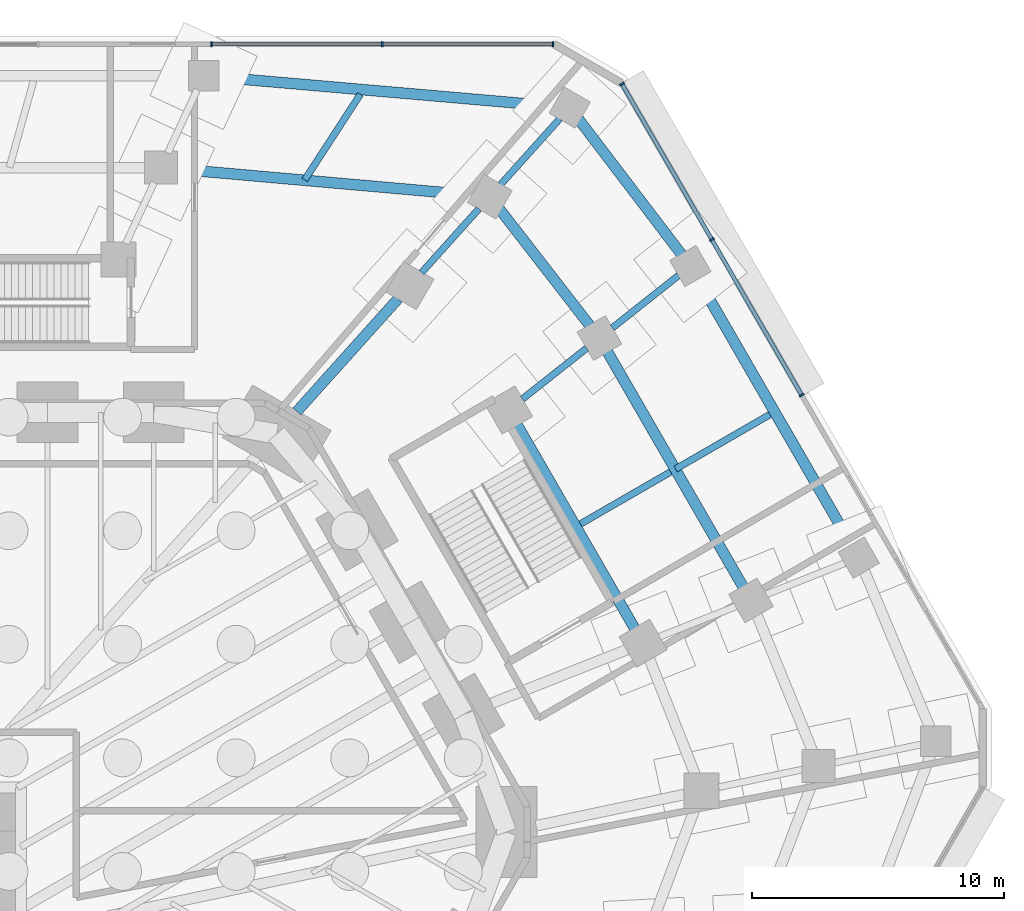
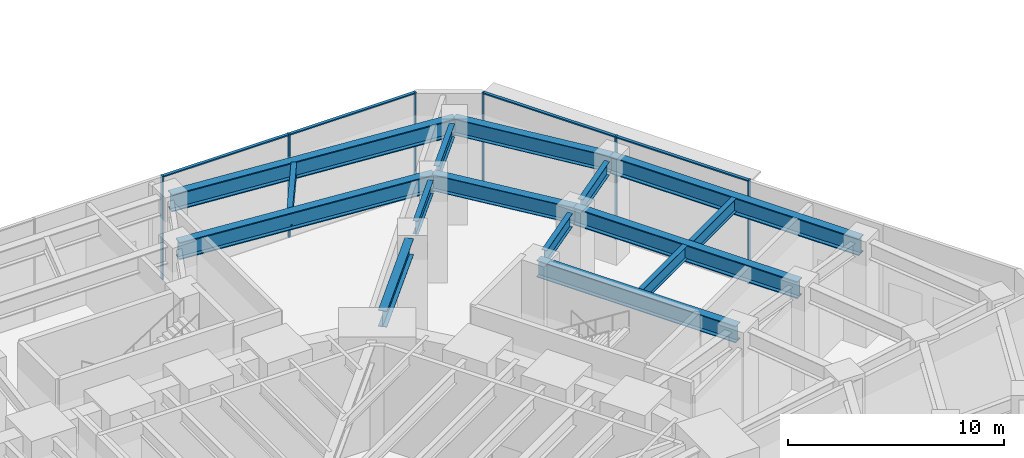
# One storey, part 16 of 34: 15 beams, 10 members, 2 elements without a shape of their own.
"""IFC4 building model written with IfcOpenShell, lengths in metres."""

import ifcopenshell
import ifcopenshell.guid

model = None  # the IFC model being written
_history = None  # IfcOwnerHistory: only IFC2X3 demands one
_inside = {}  # id of a spatial element -> (the spatial element, [elements in it])
_under = {}  # id of a project, library or spatial element -> (it, [spatial elements below it])
_declared = {}  # id of a project -> (the project, [libraries it declares])
_typed = {}  # id of a type object -> (the type object, [elements of that type])
_made_of = {}  # id of a material, layer set ... -> (it, [elements and type objects made of it])


def new_model(schema):
    """Start an empty IFC model of exactly this schema.

    Asked for "IFC4X3", IfcOpenShell would pick the latest addendum, in which some entities
    have other attributes; the version numbers below select the first issue.
    IFC2X3 requires an IfcOwnerHistory on every rooted entity: one is made here for all.
    """
    global model, _history
    if schema == "IFC4X3":
        model = ifcopenshell.file(schema_version=(4, 3, 0, 0))
    else:
        model = ifcopenshell.file(schema=schema)
    _inside.clear()
    _under.clear()
    _declared.clear()
    _typed.clear()
    _made_of.clear()
    _history = None
    if model.schema == "IFC2X3":
        org = make("IfcOrganization", Name="unknown")
        user = make(
            "IfcPersonAndOrganization",
            ThePerson=make("IfcPerson", FamilyName="unknown"),
            TheOrganization=org,
        )
        app = make(
            "IfcApplication",
            ApplicationDeveloper=org,
            Version="unknown",
            ApplicationFullName="unknown",
            ApplicationIdentifier="unknown",
        )
        _history = make(
            "IfcOwnerHistory",
            OwningUser=user,
            OwningApplication=app,
            ChangeAction="ADDED",
            CreationDate=0,
        )
    return model


def make(cls, **values):
    """One entity of the class cls with the attributes given. An attribute that is None is left unset."""
    return model.create_entity(
        cls, **{name: value for name, value in values.items() if value is not None}
    )


def rooted(cls, **values):
    """An entity with a GlobalId (a new one), such as an element, a storey or a relation."""
    return make(cls, GlobalId=ifcopenshell.guid.new(), OwnerHistory=_history, **values)


def si_unit(unit_type, name, prefix=None):
    """IfcSIUnit, for example si_unit("LENGTHUNIT", "METRE", prefix="MILLI")."""
    return make("IfcSIUnit", UnitType=unit_type, Prefix=prefix, Name=name)


def assignment(units):
    """IfcUnitAssignment: the units of a project."""
    return None if units is None else make("IfcUnitAssignment", Units=units)


def point(xyz):
    """IfcCartesianPoint."""
    return None if xyz is None else make("IfcCartesianPoint", Coordinates=xyz)


def direction(xyz):
    """IfcDirection."""
    return None if xyz is None else make("IfcDirection", DirectionRatios=xyz)


def frame(location, z_axis=None, x_axis=None):
    """IfcAxis2Placement3D, a coordinate frame: its origin and axes. An axis left out is left unset."""
    return make(
        "IfcAxis2Placement3D",
        Location=point(location),
        Axis=direction(z_axis),
        RefDirection=direction(x_axis),
    )


def frame_2d(location, x_axis=None):
    """IfcAxis2Placement2D, a coordinate frame in the plane: its origin and x axis."""
    return make(
        "IfcAxis2Placement2D", Location=point(location), RefDirection=direction(x_axis)
    )


def origin():
    """The frame at (0, 0, 0) with its axes left unset."""
    return frame((0.0, 0.0, 0.0))


def origin_2d():
    """The frame at (0, 0) in the plane with its x axis left unset."""
    return frame_2d((0.0, 0.0))


def place(relative_to, where):
    """IfcLocalPlacement: puts the frame where relative to a parent placement (None: the world)."""
    return make(
        "IfcLocalPlacement", PlacementRelTo=relative_to, RelativePlacement=where
    )


def context(
    kind, dimensions, precision=None, world=None, true_north=None, identifier=None
):
    """IfcGeometricRepresentationContext, for example the 3D "Model" context."""
    return make(
        "IfcGeometricRepresentationContext",
        ContextIdentifier=identifier,
        ContextType=kind,
        CoordinateSpaceDimension=dimensions,
        Precision=precision,
        WorldCoordinateSystem=world,
        TrueNorth=true_north,
    )


def subcontext(parent, identifier, kind, view, scale=None):
    """IfcGeometricRepresentationSubContext, for example "Body" below "Model"."""
    return make(
        "IfcGeometricRepresentationSubContext",
        ContextIdentifier=identifier,
        ContextType=kind,
        ParentContext=parent,
        TargetScale=scale,
        TargetView=view,
    )


def project(units=None, contexts=None):
    """IfcProject with its units and contexts."""
    return rooted(
        "IfcProject",
        Name="project",
        RepresentationContexts=contexts,
        UnitsInContext=assignment(units),
    )


def spatial(cls, under=None, at=None, **own):
    """A site, building, storey or space (cls), placed at a placement, below another one or the project."""
    s = rooted(cls, ObjectPlacement=at, **own)
    if under is not None:
        _under.setdefault(under.id(), (under, []))[1].append(s)
    return s


def profile(cls, at=None, kind="AREA", **sizes):
    """A parametric profile (cls). Its sizes go by their IFC names, for example OverallWidth=200.0."""
    return make(cls, ProfileType=kind, Position=at, **sizes)


def rectangle(**sizes):
    """IfcRectangleProfileDef."""
    return profile("IfcRectangleProfileDef", **sizes)


def i_section(**sizes):
    """IfcIShapeProfileDef."""
    return profile("IfcIShapeProfileDef", **sizes)


def extrude(swept, where, along, depth):
    """IfcExtrudedAreaSolid: the profile swept, set in the frame where, extruded along a direction by depth."""
    return make(
        "IfcExtrudedAreaSolid",
        SweptArea=swept,
        Position=where,
        ExtrudedDirection=direction(along),
        Depth=depth,
    )


def shape(context_of_items, identifier, shape_type, items):
    """IfcShapeRepresentation: the items that make up one representation, for example the "Body"."""
    return make(
        "IfcShapeRepresentation",
        ContextOfItems=context_of_items,
        RepresentationIdentifier=identifier,
        RepresentationType=shape_type,
        Items=items,
    )


def material(Name=None, Category=None):
    """IfcMaterial."""
    return make("IfcMaterial", Name=Name, Category=Category)


def material_profile(
    of_material, cross_section, Name=None, Category=None, Priority=None
):
    """IfcMaterialProfile: a cross section and its material."""
    return make(
        "IfcMaterialProfile",
        Name=Name,
        Material=of_material,
        Profile=cross_section,
        Priority=Priority,
        Category=Category,
    )


def profile_set(profiles, Name=None, composite=None):
    """IfcMaterialProfileSet."""
    return make(
        "IfcMaterialProfileSet",
        Name=Name,
        MaterialProfiles=profiles,
        CompositeProfile=composite,
    )


def made_of(thing, what):
    """Note that an element or type object is made of a material, layer set ...; save() writes the relation."""
    if what is not None:
        _made_of.setdefault(what.id(), (what, []))[1].append(thing)
    return thing


def type_object(cls, material=None, **own):
    """A type object (cls), such as IfcWallType, which elements share."""
    return made_of(rooted(cls, **own), material)


def element(
    cls,
    number,
    at=None,
    inside=None,
    cuts=None,
    type_object=None,
    material=None,
    context=None,
    identifier="Body",
    shape_type=None,
    held_by="IfcProductDefinitionShape",
    body=None,
    shapes=None,
    **own,
):
    """One element of the class cls, such as IfcWall. Its Tag is "e" and its number.

    at: its placement. inside: the storey or other place that contains it. cuts: it is an
    opening in that element (IfcRelVoidsElement). A single representation is given by context,
    identifier, shape_type and body (its items); several are given by shapes. held_by: the class
    of the entity that holds the representations. save() writes the other relations.
    """
    e = rooted(cls, Tag="e%d" % number, ObjectPlacement=at, **own)
    if body is not None:
        shapes = [shape(context, identifier, shape_type, body)]
    if shapes is not None:
        e.Representation = make(held_by, Representations=shapes)
    if inside is not None:
        _inside.setdefault(inside.id(), (inside, []))[1].append(e)
    if cuts is not None:
        rooted(
            "IfcRelVoidsElement", RelatingBuildingElement=cuts, RelatedOpeningElement=e
        )
    if type_object is not None:
        _typed.setdefault(type_object.id(), (type_object, []))[1].append(e)
    return made_of(e, material)


def aggregate(whole, parts):
    """IfcRelAggregates: a whole, such as a stair, and the parts it consists of."""
    return rooted("IfcRelAggregates", RelatingObject=whole, RelatedObjects=parts)


def save(model, path):
    """Write the relations noted so far, then the file.

    IfcRelAggregates (storeys below a building ...), IfcRelContainedInSpatialStructure (elements
    in a storey), IfcRelDefinesByType, IfcRelAssociatesMaterial and IfcRelDeclares: one each for
    every whole, place, type object, material and project.
    """
    for whole, parts in _under.values():
        aggregate(whole, parts)
    for where, things in _inside.values():
        rooted(
            "IfcRelContainedInSpatialStructure",
            RelatedElements=things,
            RelatingStructure=where,
        )
    for kind, things in _typed.values():
        rooted("IfcRelDefinesByType", RelatedObjects=things, RelatingType=kind)
    for what, things in _made_of.values():
        rooted("IfcRelAssociatesMaterial", RelatedObjects=things, RelatingMaterial=what)
    for by, libraries in _declared.values():
        rooted("IfcRelDeclares", RelatingContext=by, RelatedDefinitions=libraries)
    model.write(path)


model = new_model("IFC4")

# Units and contexts
model_context = context("Model", 3, precision=1e-05, world=origin(), true_north=direction((0.0, 1.0)))
body_context = subcontext(model_context, "Body", "Model", "MODEL_VIEW")
ifc_project = project(units=[si_unit("LENGTHUNIT", "METRE"), si_unit("AREAUNIT", "SQUARE_METRE"), si_unit("VOLUMEUNIT", "CUBIC_METRE"), si_unit("PLANEANGLEUNIT", "RADIAN"), si_unit("MASSUNIT", "GRAM", prefix="KILO")], contexts=[model_context])

# Site, building, storey
site_placement = place(None, origin())
site = spatial("IfcSite", under=ifc_project, at=site_placement, CompositionType="ELEMENT")
building_placement = place(site_placement, origin())
building = spatial("IfcBuilding", under=site, at=building_placement, Name="Sandreach Pilgrim Tower", CompositionType="ELEMENT")
storey_placement = place(building_placement, origin())
storey = spatial("IfcBuildingStorey", under=building, at=storey_placement, Name="L00", CompositionType="ELEMENT", Elevation=0.0)

# Curtain wall, members
ifc_material_1 = material(Name="Aluminium framed curtain wall", Category="aluminium")
curtain_wall_type = type_object("IfcCurtainWallType", Name="Podium storefront curtain wall", PredefinedType="NOTDEFINED", material=ifc_material_1)
curtain_wall_1_placement = place(storey_placement, origin())
curtain_wall_1 = element("IfcCurtainWall", 1, at=curtain_wall_1_placement, inside=storey, type_object=curtain_wall_type, Name="CW-P L00 NC", PredefinedType="NOTDEFINED")
ifc_material_2 = material(Name="Aluminium extrusion", Category="aluminium")
ifc_material_profile_1 = material_profile(ifc_material_2, rectangle(XDim=0.070068359375, YDim=0.199951171875, at=origin_2d()), Name="CW-PM 70X200")
ifc_profile_set_1 = profile_set([ifc_material_profile_1], Name="Aluminium extrusion")
member_type_1 = type_object("IfcMemberType", Name="CW-P mullion", PredefinedType="MULLION", material=ifc_profile_set_1)
member_1_placement = place(storey_placement, frame((17.02783203125, 37.285400390625, 0.0), z_axis=(0.0, 0.0, 1.0), x_axis=(1.0, 0.0, 0.0)))
member_1 = element("IfcMember", 2, at=member_1_placement, type_object=member_type_1, Name="CW-P mullion 1", PredefinedType="MULLION", context=body_context, shape_type="SweptSolid", body=[
    extrude(rectangle(XDim=0.070068359375, YDim=0.199951171875, at=origin_2d()), origin(), (0.0, 0.0, 1.0), 5.840087890625),
])
member_2_placement = place(storey_placement, frame((23.789794921875, 37.285400390625, 0.0), z_axis=(0.0, 0.0, 1.0), x_axis=(1.0, 0.0, 0.0)))
member_2 = element("IfcMember", 3, at=member_2_placement, type_object=member_type_1, Name="CW-P mullion 2", PredefinedType="MULLION", context=body_context, shape_type="SweptSolid", body=[
    extrude(rectangle(XDim=0.070068359375, YDim=0.199951171875, at=origin_2d()), origin(), (0.0, 0.0, 1.0), 5.840087890625),
])
member_3_placement = place(storey_placement, frame((30.552001953125, 37.285400390625, 0.0), z_axis=(0.0, 0.0, 1.0), x_axis=(1.0, 0.0, 0.0)))
member_3 = element("IfcMember", 4, at=member_3_placement, type_object=member_type_1, Name="CW-P mullion 3", PredefinedType="MULLION", context=body_context, shape_type="SweptSolid", body=[
    extrude(rectangle(XDim=0.070068359375, YDim=0.199951171875, at=origin_2d()), origin(), (0.0, 0.0, 1.0), 5.840087890625),
])

curtain_wall_2_placement = place(storey_placement, origin())
curtain_wall_2 = element("IfcCurtainWall", 5, at=curtain_wall_2_placement, inside=storey, type_object=curtain_wall_type, Name="CW-P L00 NEA", PredefinedType="NOTDEFINED")
member_4_placement = place(storey_placement, frame((33.289306640625, 35.705078125, 0.0), z_axis=(0.0, 0.0, 1.0), x_axis=(0.5, -0.866025403784, 0.0)))
member_4 = element("IfcMember", 6, at=member_4_placement, type_object=member_type_1, Name="CW-P mullion 1", PredefinedType="MULLION", context=body_context, shape_type="SweptSolid", body=[
    extrude(rectangle(XDim=0.070068359375, YDim=0.199951171875, at=origin_2d()), origin(), (0.0, 0.0, 1.0), 5.840087890625),
])
member_5_placement = place(storey_placement, frame((36.849609375, 29.538330078125, 0.0), z_axis=(0.0, 0.0, 1.0), x_axis=(0.5, -0.866025403784, 0.0)))
member_5 = element("IfcMember", 7, at=member_5_placement, type_object=member_type_1, Name="CW-P mullion 2", PredefinedType="MULLION", context=body_context, shape_type="SweptSolid", body=[
    extrude(rectangle(XDim=0.070068359375, YDim=0.199951171875, at=origin_2d()), origin(), (0.0, 0.0, 1.0), 5.840087890625),
])
member_6_placement = place(storey_placement, frame((40.41015625, 23.371337890625, 0.0), z_axis=(0.0, 0.0, 1.0), x_axis=(0.5, -0.866025403784, 0.0)))
member_6 = element("IfcMember", 8, at=member_6_placement, type_object=member_type_1, Name="CW-P mullion 3", PredefinedType="MULLION", context=body_context, shape_type="SweptSolid", body=[
    extrude(rectangle(XDim=0.070068359375, YDim=0.199951171875, at=origin_2d()), origin(), (0.0, 0.0, 1.0), 5.840087890625),
])

# Member
ifc_material_3 = material(Name="Aluminium extrusion", Category="aluminium")
ifc_material_profile_2 = material_profile(ifc_material_3, rectangle(XDim=0.159912109375, YDim=0.070068359375, at=origin_2d()), Name="CW-PT 160X70")
ifc_profile_set_2 = profile_set([ifc_material_profile_2], Name="Aluminium extrusion")
member_type_2 = type_object("IfcMemberType", Name="CW-P transom", PredefinedType="USERDEFINED", material=ifc_profile_set_2)
member_7_placement = place(storey_placement, frame((17.062744140625, 37.285400390625, 5.804931640625), z_axis=(1.0, 0.0, 0.0), x_axis=(0.0, 1.0, 0.0)))
member_7 = element("IfcMember", 9, at=member_7_placement, type_object=member_type_2, Name="CW-P head transom 1", ObjectType="TRANSOM", PredefinedType="USERDEFINED", context=body_context, shape_type="SweptSolid", body=[
    extrude(rectangle(XDim=0.159912109375, YDim=0.070068359375, at=origin_2d()), origin(), (0.0, 0.0, 1.0), 6.692138671875),
])

member_8_placement = place(storey_placement, frame((23.824951171875, 37.285400390625, 5.804931640625), z_axis=(1.0, 0.0, 0.0), x_axis=(0.0, 1.0, 0.0)))
member_8 = element("IfcMember", 10, at=member_8_placement, type_object=member_type_2, Name="CW-P head transom 2", ObjectType="TRANSOM", PredefinedType="USERDEFINED", context=body_context, shape_type="SweptSolid", body=[
    extrude(rectangle(XDim=0.159912109375, YDim=0.070068359375, at=origin_2d()), origin(), (0.0, 0.0, 1.0), 6.692138671875),
])

aggregate(curtain_wall_1, [member_1, member_2, member_3, member_7, member_8])

member_9_placement = place(storey_placement, frame((33.306640625, 35.6748046875, 5.804931640625), z_axis=(0.500023174947, -0.866012023309, 0.0), x_axis=(0.866012023309, 0.500023174947, 0.0)))
member_9 = element("IfcMember", 11, at=member_9_placement, type_object=member_type_2, Name="CW-P head transom 1", ObjectType="TRANSOM", PredefinedType="USERDEFINED", context=body_context, shape_type="SweptSolid", body=[
    extrude(rectangle(XDim=0.159912109375, YDim=0.070068359375, at=origin_2d()), origin(), (0.0, 0.0, 1.0), 7.051025390625),
])

member_10_placement = place(storey_placement, frame((36.8671875, 29.5078125, 5.804931640625), z_axis=(0.499997206141, -0.866027016814, 0.0), x_axis=(0.866027016814, 0.499997206141, 0.0)))
member_10 = element("IfcMember", 12, at=member_10_placement, type_object=member_type_2, Name="CW-P head transom 2", ObjectType="TRANSOM", PredefinedType="USERDEFINED", context=body_context, shape_type="SweptSolid", body=[
    extrude(rectangle(XDim=0.159912109375, YDim=0.070068359375, at=origin_2d()), origin(), (0.0, 0.0, 1.0), 7.05078125),
])

aggregate(curtain_wall_2, [member_4, member_5, member_6, member_9, member_10])

# Beams
ifc_material_4 = material(Name="Steel ASTM A992 Grade 50", Category="steel")
ifc_material_profile_3 = material_profile(ifc_material_4, i_section(OverallWidth=0.2666015625, OverallDepth=0.7568359375, WebThickness=0.013916015625, FlangeThickness=0.019287109375, at=origin_2d()), Name="W30X108")
ifc_profile_set_3 = profile_set([ifc_material_profile_3], Name="Steel ASTM A992 Grade 50")
beam_type_1 = type_object("IfcBeamType", Name="Podium beam W30X108", PredefinedType="BEAM", material=ifc_profile_set_3)
beam_1_placement = place(storey_placement, frame((25.352783203125, 28.234375, 5.46142578125), z_axis=(0.668105036211, 0.744066973188, 0.0), x_axis=(-0.744066973188, 0.668105036211, 0.0)))
element("IfcBeam", 13, at=beam_1_placement, inside=storey, type_object=beam_type_1, Name="BM L00 PR140-09", PredefinedType="BEAM", context=body_context, shape_type="SweptSolid", body=[
    extrude(i_section(OverallWidth=0.2666015625, OverallDepth=0.7568359375, WebThickness=0.013916015625, FlangeThickness=0.019287109375, at=origin_2d()), origin(), (0.0, 0.0, 1.0), 3.390869140625),
])
beam_2_placement = place(storey_placement, frame((29.3427734375, 23.218994140625, 5.46142578125), z_axis=(0.784196808653, 0.620512179815, 0.0), x_axis=(-0.620512179815, 0.784196808653, 0.0)))
element("IfcBeam", 14, at=beam_2_placement, inside=storey, type_object=beam_type_1, Name="BM L00 PR140-10", PredefinedType="BEAM", context=body_context, shape_type="SweptSolid", body=[
    extrude(i_section(OverallWidth=0.2666015625, OverallDepth=0.7568359375, WebThickness=0.013916015625, FlangeThickness=0.019287109375, at=origin_2d()), origin(), (0.0, 0.0, 1.0), 3.24560546875),
])
beam_3_placement = place(storey_placement, frame((31.645263671875, 18.270263671875, 5.46142578125), z_axis=(0.865992213802, 0.50005748233, 0.0), x_axis=(-0.50005748233, 0.865992213802, 0.0)))
element("IfcBeam", 15, at=beam_3_placement, inside=storey, type_object=beam_type_1, Name="BM L00 PR140-11", PredefinedType="BEAM", context=body_context, shape_type="SweptSolid", body=[
    extrude(i_section(OverallWidth=0.2666015625, OverallDepth=0.7568359375, WebThickness=0.013916015625, FlangeThickness=0.019287109375, at=origin_2d()), origin(), (0.0, 0.0, 1.0), 4.12109375),
])
beam_4_placement = place(storey_placement, frame((20.71728515625, 31.900634765625, 5.37158203125), z_axis=(0.544632419342, 0.838674864177, 0.0), x_axis=(-0.838674864177, 0.544632419342, 0.0)))
element("IfcBeam", 16, at=beam_4_placement, inside=storey, type_object=beam_type_1, Name="BM L00 PR155-08", PredefinedType="BEAM", context=body_context, shape_type="SweptSolid", body=[
    extrude(i_section(OverallWidth=0.2666015625, OverallDepth=0.7568359375, WebThickness=0.013916015625, FlangeThickness=0.019287109375, at=origin_2d()), origin(), (0.0, 0.0, 1.0), 4.051025390625),
])
beam_5_placement = place(storey_placement, frame((28.48681640625, 31.724609375, 5.37158203125), z_axis=(0.668106407686, 0.744065741725, 0.0), x_axis=(-0.744065741725, 0.668106407686, 0.0)))
element("IfcBeam", 17, at=beam_5_placement, inside=storey, type_object=beam_type_1, Name="BM L00 PR155-09", PredefinedType="BEAM", context=body_context, shape_type="SweptSolid", body=[
    extrude(i_section(OverallWidth=0.2666015625, OverallDepth=0.7568359375, WebThickness=0.013916015625, FlangeThickness=0.019287109375, at=origin_2d()), origin(), (0.0, 0.0, 1.0), 3.490478515625),
])
beam_6_placement = place(storey_placement, frame((32.9072265625, 26.03955078125, 5.37158203125), z_axis=(0.784196737121, 0.620512270216, 0.0), x_axis=(-0.620512270216, 0.784196737121, 0.0)))
element("IfcBeam", 18, at=beam_6_placement, inside=storey, type_object=beam_type_1, Name="BM L00 PR155-10", PredefinedType="BEAM", context=body_context, shape_type="SweptSolid", body=[
    extrude(i_section(OverallWidth=0.2666015625, OverallDepth=0.7568359375, WebThickness=0.013916015625, FlangeThickness=0.019287109375, at=origin_2d()), origin(), (0.0, 0.0, 1.0), 3.345458984375),
])
beam_7_placement = place(storey_placement, frame((35.412353515625, 20.4453125, 5.37158203125), z_axis=(0.866017978256, 0.500012861172, 0.0), x_axis=(-0.500012861172, 0.866017978256, 0.0)))
element("IfcBeam", 19, at=beam_7_placement, inside=storey, type_object=beam_type_1, Name="BM L00 PR155-11", PredefinedType="BEAM", context=body_context, shape_type="SweptSolid", body=[
    extrude(i_section(OverallWidth=0.2666015625, OverallDepth=0.7568359375, WebThickness=0.013916015625, FlangeThickness=0.019287109375, at=origin_2d()), origin(), (0.0, 0.0, 1.0), 4.31787109375),
])
ifc_material_5 = material(Name="Steel ASTM A992 Grade 50", Category="steel")
ifc_material_profile_4 = material_profile(ifc_material_5, i_section(OverallWidth=0.419189453125, OverallDepth=0.927001953125, WebThickness=0.019287109375, FlangeThickness=0.031982421875, at=origin_2d()), Name="W36X231")
ifc_profile_set_4 = profile_set([ifc_material_profile_4], Name="Steel ASTM A992 Grade 50")
beam_type_2 = type_object("IfcBeamType", Name="Podium beam W36X231", PredefinedType="BEAM", material=ifc_profile_set_4)
beam_8_placement = place(storey_placement, frame((20.407958984375, 22.727783203125, 5.37646484375), z_axis=(0.668130429615, 0.744044171419, 0.0), x_axis=(-0.744044171419, 0.668130429615, 0.0)))
element("IfcBeam", 20, at=beam_8_placement, inside=storey, type_object=beam_type_2, Name="BM L00 PR125-09", PredefinedType="BEAM", context=body_context, shape_type="SweptSolid", body=[
    extrude(i_section(OverallWidth=0.419189453125, OverallDepth=0.927001953125, WebThickness=0.019287109375, FlangeThickness=0.031982421875, at=origin_2d()), origin(), (0.0, 0.0, 1.0), 6.001220703125),
])
ifc_material_6 = material(Name="Steel ASTM A992 Grade 50", Category="steel")
ifc_material_profile_5 = material_profile(ifc_material_6, i_section(OverallWidth=0.419189453125, OverallDepth=0.927001953125, WebThickness=0.019287109375, FlangeThickness=0.031982421875, at=origin_2d()), Name="W36X231")
ifc_profile_set_5 = profile_set([ifc_material_profile_5], Name="Steel ASTM A992 Grade 50")
beam_type_3 = type_object("IfcBeamType", Name="Podium edge beam W36X231", PredefinedType="BEAM", material=ifc_profile_set_5)
beam_9_placement = place(storey_placement, frame((28.052490234375, 31.240966796875, 5.37646484375), z_axis=(0.612686189545, -0.790326282709, 0.0), x_axis=(0.790326282709, 0.612686189545, 0.0)))
element("IfcBeam", 21, at=beam_9_placement, inside=storey, type_object=beam_type_3, Name="BM L00 PE140-09", PredefinedType="BEAM", context=body_context, shape_type="SweptSolid", body=[
    extrude(i_section(OverallWidth=0.419189453125, OverallDepth=0.927001953125, WebThickness=0.019287109375, FlangeThickness=0.031982421875, at=origin_2d()), origin(), (0.0, 0.0, 1.0), 7.091552734375),
])
beam_10_placement = place(storey_placement, frame((31.2197265625, 34.768310546875, 5.286376953125), z_axis=(0.605749634425, -0.795655315067, 0.0), x_axis=(0.795655315067, 0.605749634425, 0.0)))
element("IfcBeam", 22, at=beam_10_placement, inside=storey, type_object=beam_type_3, Name="BM L00 PE155-09", PredefinedType="BEAM", context=body_context, shape_type="SweptSolid", body=[
    extrude(i_section(OverallWidth=0.419189453125, OverallDepth=0.927001953125, WebThickness=0.019287109375, FlangeThickness=0.031982421875, at=origin_2d()), origin(), (0.0, 0.0, 1.0), 7.8935546875),
])
ifc_material_7 = material(Name="Steel ASTM A992 Grade 50", Category="steel")
ifc_material_profile_6 = material_profile(ifc_material_7, i_section(OverallWidth=0.424072265625, OverallDepth=0.947509765625, WebThickness=0.02392578125, FlangeThickness=0.042724609375, at=origin_2d()), Name="W36X302")
ifc_profile_set_6 = profile_set([ifc_material_profile_6], Name="Steel ASTM A992 Grade 50")
beam_type_4 = type_object("IfcBeamType", Name="Podium edge beam W36X302", PredefinedType="BEAM", material=ifc_profile_set_6)
beam_11_placement = place(storey_placement, frame((28.7939453125, 22.78466796875, 5.3662109375), z_axis=(0.500005016135, -0.866022507698, 0.0), x_axis=(0.866022507698, 0.500005016135, 0.0)))
element("IfcBeam", 23, at=beam_11_placement, inside=storey, type_object=beam_type_4, Name="BM L00 PE125-10", PredefinedType="BEAM", context=body_context, shape_type="SweptSolid", body=[
    extrude(i_section(OverallWidth=0.424072265625, OverallDepth=0.947509765625, WebThickness=0.02392578125, FlangeThickness=0.042724609375, at=origin_2d()), origin(), (0.0, 0.0, 1.0), 10.67041015625),
])
ifc_material_8 = material(Name="Steel ASTM A992 Grade 50", Category="steel")
ifc_material_profile_7 = material_profile(ifc_material_8, i_section(OverallWidth=0.4267578125, OverallDepth=0.975341796875, WebThickness=0.031005859375, FlangeThickness=0.055908203125, at=origin_2d()), Name="W36X395")
ifc_profile_set_7 = profile_set([ifc_material_profile_7], Name="Steel ASTM A992 Grade 50")
beam_type_5 = type_object("IfcBeamType", Name="Podium edge beam W36X395", PredefinedType="BEAM", material=ifc_profile_set_7)
beam_12_placement = place(storey_placement, frame((15.024169921875, 32.38818359375, 5.352294921875), z_axis=(0.996145504855, -0.087716208067, 0.0), x_axis=(0.087716208067, 0.996145504855, 0.0)))
element("IfcBeam", 24, at=beam_12_placement, inside=storey, type_object=beam_type_5, Name="BM L00 PE140-07", PredefinedType="BEAM", context=body_context, shape_type="SweptSolid", body=[
    extrude(i_section(OverallWidth=0.4267578125, OverallDepth=0.975341796875, WebThickness=0.031005859375, FlangeThickness=0.055908203125, at=origin_2d()), origin(), (0.0, 0.0, 1.0), 13.07861328125),
])
beam_13_placement = place(storey_placement, frame((32.3974609375, 25.63623046875, 5.352294921875), z_axis=(0.500005857885, -0.866022021707, 0.0), x_axis=(0.866022021707, 0.500005857885, 0.0)))
element("IfcBeam", 25, at=beam_13_placement, inside=storey, type_object=beam_type_5, Name="BM L00 PE140-10", PredefinedType="BEAM", context=body_context, shape_type="SweptSolid", body=[
    extrude(i_section(OverallWidth=0.4267578125, OverallDepth=0.975341796875, WebThickness=0.031005859375, FlangeThickness=0.055908203125, at=origin_2d()), origin(), (0.0, 0.0, 1.0), 12.005615234375),
])
beam_14_placement = place(storey_placement, frame((16.71142578125, 36.025390625, 5.26220703125), z_axis=(0.996267276422, -0.086322152026, 0.0), x_axis=(0.086322152026, 0.996267276422, 0.0)))
element("IfcBeam", 26, at=beam_14_placement, inside=storey, type_object=beam_type_5, Name="BM L00 PE155-07", PredefinedType="BEAM", context=body_context, shape_type="SweptSolid", body=[
    extrude(i_section(OverallWidth=0.4267578125, OverallDepth=0.975341796875, WebThickness=0.031005859375, FlangeThickness=0.055908203125, at=origin_2d()), origin(), (0.0, 0.0, 1.0), 14.562744140625),
])
beam_15_placement = place(storey_placement, frame((36.001220703125, 28.48779296875, 5.26220703125), z_axis=(0.500006531119, -0.866021633008, 0.0), x_axis=(0.866021633008, 0.500006531119, 0.0)))
element("IfcBeam", 27, at=beam_15_placement, inside=storey, type_object=beam_type_5, Name="BM L00 PE155-10", PredefinedType="BEAM", context=body_context, shape_type="SweptSolid", body=[
    extrude(i_section(OverallWidth=0.4267578125, OverallDepth=0.975341796875, WebThickness=0.031005859375, FlangeThickness=0.055908203125, at=origin_2d()), origin(), (0.0, 0.0, 1.0), 13.341064453125),
])

save(model, "model.ifc")
